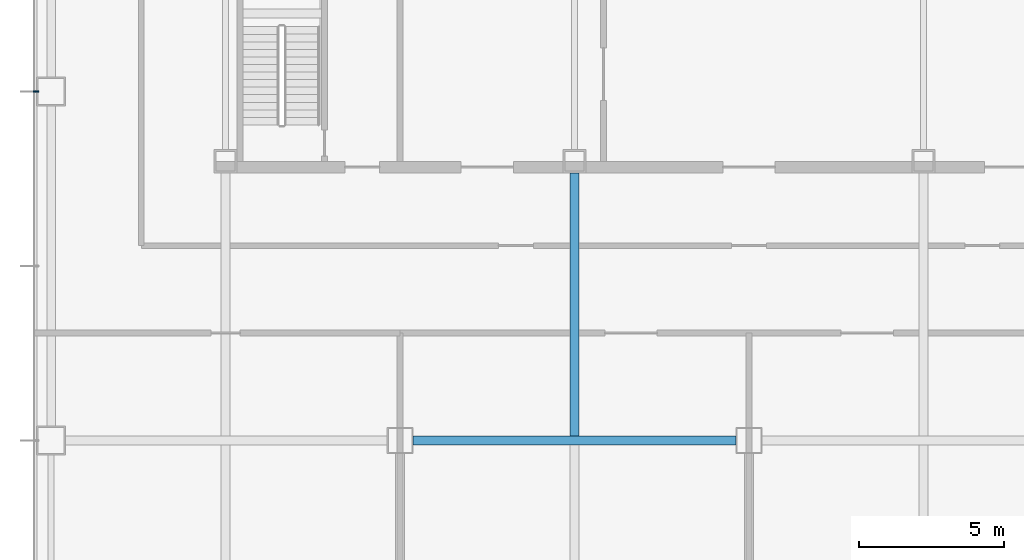
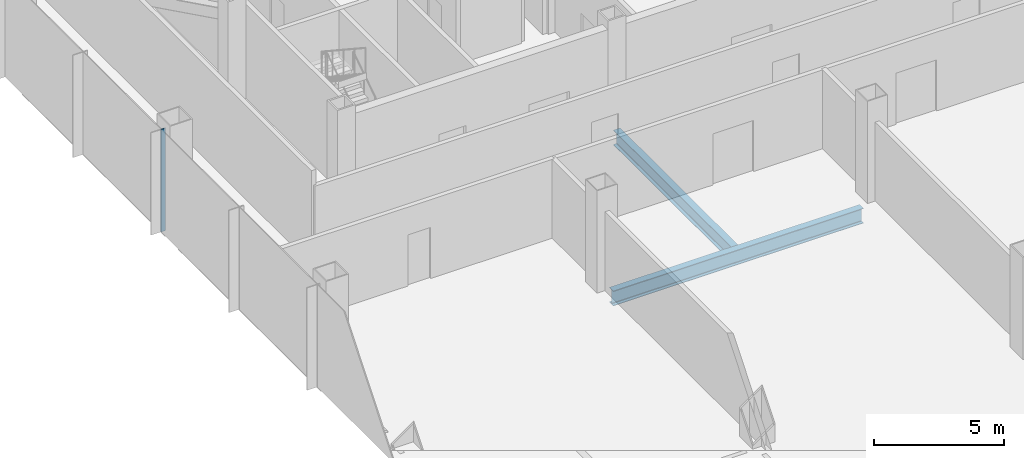
# One storey, part 6 of 33: 2 beams, 1 member, 1 element without a shape of its own.
"""IFC4 building model written with IfcOpenShell, lengths in metres."""

from ifc_helpers import new_model, si_unit, direction, frame, origin, origin_2d, place, context, subcontext, project, spatial, rectangle, i_section, extrude, material, material_profile, profile_set, type_object, element, aggregate, save


model = new_model("IFC4")

# Units and contexts
model_context = context("Model", 3, precision=1e-05, world=origin(), true_north=direction((0.0, 1.0)))
body_context = subcontext(model_context, "Body", "Model", "MODEL_VIEW")
ifc_project = project(units=[si_unit("LENGTHUNIT", "METRE"), si_unit("AREAUNIT", "SQUARE_METRE"), si_unit("VOLUMEUNIT", "CUBIC_METRE"), si_unit("PLANEANGLEUNIT", "RADIAN"), si_unit("MASSUNIT", "GRAM", prefix="KILO")], contexts=[model_context])

# Site, building, storey
site_placement = place(None, origin())
site = spatial("IfcSite", under=ifc_project, at=site_placement, CompositionType="ELEMENT")
building_placement = place(site_placement, origin())
building = spatial("IfcBuilding", under=site, at=building_placement, Name="Sorahane Residences", CompositionType="ELEMENT")
storey_placement = place(building_placement, frame((0.0, 0.0, 34.800048828125)))
storey = spatial("IfcBuildingStorey", under=building, at=storey_placement, Name="L05", CompositionType="ELEMENT", Elevation=34.800048828125)

# Curtain wall, member
ifc_material_1 = material(Name="Dark low-e glass and black anodised aluminium", Category="aluminium")
curtain_wall_type = type_object("IfcCurtainWallType", Name="Curtain wall CW-3 Podium unitised wall", PredefinedType="NOTDEFINED", material=ifc_material_1)
curtain_wall_placement = place(storey_placement, origin())
curtain_wall = element("IfcCurtainWall", 1, at=curtain_wall_placement, inside=storey, type_object=curtain_wall_type, Name="CW-3 curtain wall L05 W1", PredefinedType="NOTDEFINED")
ifc_material_2 = material(Name="Black anodised aluminium", Category="aluminium")
ifc_material_profile_1 = material_profile(ifc_material_2, rectangle(XDim=0.199951171875, YDim=0.050048828125, at=origin_2d()), Name="Curtain wall mullion CW-3 black anodised aluminium 50x200")
ifc_profile_set_1 = profile_set([ifc_material_profile_1], Name="Black anodised aluminium")
member_type = type_object("IfcMemberType", Name="Curtain wall mullion CW-3 black anodised aluminium 50x200", PredefinedType="MULLION", material=ifc_profile_set_1)
member_placement = place(storey_placement, frame((-0.52001953125, 24.0, -0.400146484375), z_axis=(0.0, 0.0, 1.0), x_axis=(-1.0, 0.0, 0.0)))
member = element("IfcMember", 2, at=member_placement, type_object=member_type, Name="CW-3 mullion L05 W1.5", PredefinedType="MULLION", context=body_context, shape_type="SweptSolid", body=[
    extrude(rectangle(XDim=0.199951171875, YDim=0.050048828125, at=origin_2d()), origin(), (0.0, 0.0, 1.0), 4.800048828125),
])
aggregate(curtain_wall, [member])

# Beams
ifc_material_3 = material(Name="Steel Q355B", Category="steel")
ifc_material_profile_2 = material_profile(ifc_material_3, i_section(OverallWidth=0.300048828125, OverallDepth=0.699951171875, WebThickness=0.012939453125, FlangeThickness=0.02392578125, FilletRadius=0.028076171875, at=origin_2d()), Name="HN 700x300x13x24")
ifc_profile_set_2 = profile_set([ifc_material_profile_2], Name="Steel Q355B")
beam_type = type_object("IfcBeamType", Name="Steel floor beam HN 700x300x13x24 Q355B", PredefinedType="BEAM", material=ifc_profile_set_2)
beam_1_placement = place(storey_placement, frame((12.449951171875, 12.0, -0.75), z_axis=(1.0, 0.0, 0.0), x_axis=(0.0, 1.0, 0.0)))
element("IfcBeam", 3, at=beam_1_placement, inside=storey, type_object=beam_type, Name="Beam L05 009", PredefinedType="BEAM", context=body_context, shape_type="SweptSolid", body=[
    extrude(i_section(OverallWidth=0.300048828125, OverallDepth=0.699951171875, WebThickness=0.012939453125, FlangeThickness=0.02392578125, FilletRadius=0.028076171875, at=origin_2d()), origin(), (0.0, 0.0, 1.0), 11.10009765625),
])
beam_2_placement = place(storey_placement, frame((18.0, 12.14990234375, -0.75), z_axis=(0.0, 1.0, 0.0), x_axis=(-1.0, 0.0, 0.0)))
element("IfcBeam", 4, at=beam_2_placement, inside=storey, type_object=beam_type, Name="Beam L05 039", PredefinedType="BEAM", context=body_context, shape_type="SweptSolid", body=[
    extrude(i_section(OverallWidth=0.300048828125, OverallDepth=0.699951171875, WebThickness=0.012939453125, FlangeThickness=0.02392578125, FilletRadius=0.028076171875, at=origin_2d()), origin(), (0.0, 0.0, 1.0), 9.050048828125),
])

save(model, "model.ifc")
